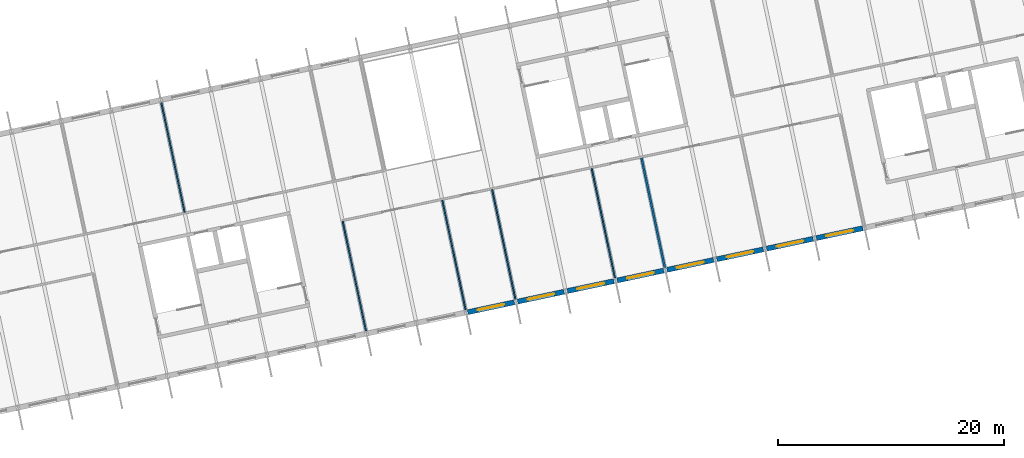
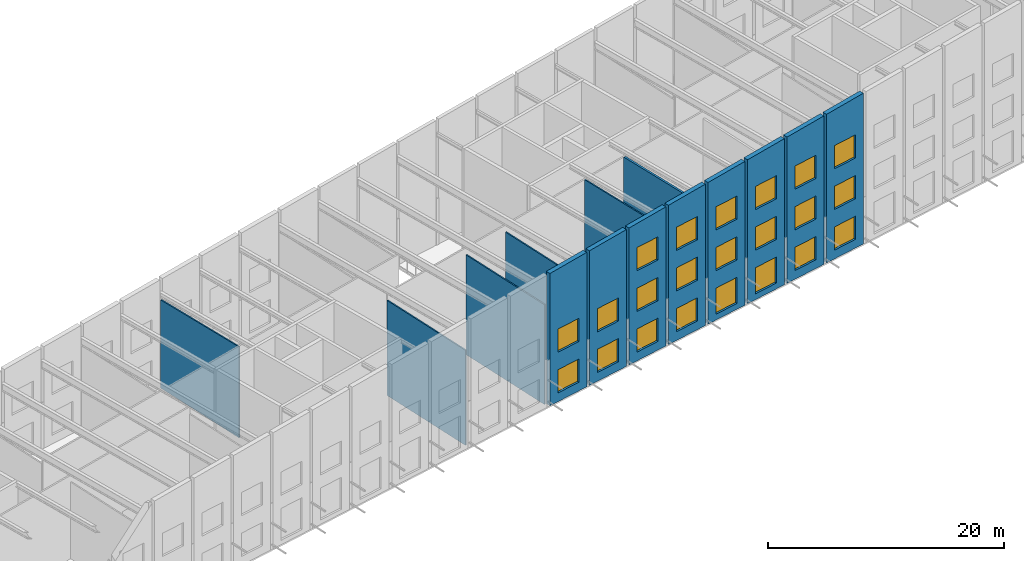
# One storey, part 45 of 69: 22 windows, 14 walls, 22 openings.
"""IFC4 building model written with IfcOpenShell, lengths in metres."""

import ifcopenshell
import ifcopenshell.guid

model = None  # the IFC model being written
_history = None  # IfcOwnerHistory: only IFC2X3 demands one
_inside = {}  # id of a spatial element -> (the spatial element, [elements in it])
_under = {}  # id of a project, library or spatial element -> (it, [spatial elements below it])
_declared = {}  # id of a project -> (the project, [libraries it declares])
_typed = {}  # id of a type object -> (the type object, [elements of that type])
_made_of = {}  # id of a material, layer set ... -> (it, [elements and type objects made of it])


def new_model(schema):
    """Start an empty IFC model of exactly this schema.

    Asked for "IFC4X3", IfcOpenShell would pick the latest addendum, in which some entities
    have other attributes; the version numbers below select the first issue.
    IFC2X3 requires an IfcOwnerHistory on every rooted entity: one is made here for all.
    """
    global model, _history
    if schema == "IFC4X3":
        model = ifcopenshell.file(schema_version=(4, 3, 0, 0))
    else:
        model = ifcopenshell.file(schema=schema)
    _inside.clear()
    _under.clear()
    _declared.clear()
    _typed.clear()
    _made_of.clear()
    _history = None
    if model.schema == "IFC2X3":
        org = make("IfcOrganization", Name="unknown")
        user = make(
            "IfcPersonAndOrganization",
            ThePerson=make("IfcPerson", FamilyName="unknown"),
            TheOrganization=org,
        )
        app = make(
            "IfcApplication",
            ApplicationDeveloper=org,
            Version="unknown",
            ApplicationFullName="unknown",
            ApplicationIdentifier="unknown",
        )
        _history = make(
            "IfcOwnerHistory",
            OwningUser=user,
            OwningApplication=app,
            ChangeAction="ADDED",
            CreationDate=0,
        )
    return model


def make(cls, **values):
    """One entity of the class cls with the attributes given. An attribute that is None is left unset."""
    return model.create_entity(
        cls, **{name: value for name, value in values.items() if value is not None}
    )


def rooted(cls, **values):
    """An entity with a GlobalId (a new one), such as an element, a storey or a relation."""
    return make(cls, GlobalId=ifcopenshell.guid.new(), OwnerHistory=_history, **values)


def si_unit(unit_type, name, prefix=None):
    """IfcSIUnit, for example si_unit("LENGTHUNIT", "METRE", prefix="MILLI")."""
    return make("IfcSIUnit", UnitType=unit_type, Prefix=prefix, Name=name)


def assignment(units):
    """IfcUnitAssignment: the units of a project."""
    return None if units is None else make("IfcUnitAssignment", Units=units)


def point(xyz):
    """IfcCartesianPoint."""
    return None if xyz is None else make("IfcCartesianPoint", Coordinates=xyz)


def direction(xyz):
    """IfcDirection."""
    return None if xyz is None else make("IfcDirection", DirectionRatios=xyz)


def frame(location, z_axis=None, x_axis=None):
    """IfcAxis2Placement3D, a coordinate frame: its origin and axes. An axis left out is left unset."""
    return make(
        "IfcAxis2Placement3D",
        Location=point(location),
        Axis=direction(z_axis),
        RefDirection=direction(x_axis),
    )


def frame_2d(location, x_axis=None):
    """IfcAxis2Placement2D, a coordinate frame in the plane: its origin and x axis."""
    return make(
        "IfcAxis2Placement2D", Location=point(location), RefDirection=direction(x_axis)
    )


def origin():
    """The frame at (0, 0, 0) with its axes left unset."""
    return frame((0.0, 0.0, 0.0))


def place(relative_to, where):
    """IfcLocalPlacement: puts the frame where relative to a parent placement (None: the world)."""
    return make(
        "IfcLocalPlacement", PlacementRelTo=relative_to, RelativePlacement=where
    )


def context(
    kind, dimensions, precision=None, world=None, true_north=None, identifier=None
):
    """IfcGeometricRepresentationContext, for example the 3D "Model" context."""
    return make(
        "IfcGeometricRepresentationContext",
        ContextIdentifier=identifier,
        ContextType=kind,
        CoordinateSpaceDimension=dimensions,
        Precision=precision,
        WorldCoordinateSystem=world,
        TrueNorth=true_north,
    )


def subcontext(parent, identifier, kind, view, scale=None):
    """IfcGeometricRepresentationSubContext, for example "Body" below "Model"."""
    return make(
        "IfcGeometricRepresentationSubContext",
        ContextIdentifier=identifier,
        ContextType=kind,
        ParentContext=parent,
        TargetScale=scale,
        TargetView=view,
    )


def project(units=None, contexts=None):
    """IfcProject with its units and contexts."""
    return rooted(
        "IfcProject",
        Name="project",
        RepresentationContexts=contexts,
        UnitsInContext=assignment(units),
    )


def spatial(cls, under=None, at=None, **own):
    """A site, building, storey or space (cls), placed at a placement, below another one or the project."""
    s = rooted(cls, ObjectPlacement=at, **own)
    if under is not None:
        _under.setdefault(under.id(), (under, []))[1].append(s)
    return s


def polyline(points):
    """IfcPolyline through the points."""
    return make("IfcPolyline", Points=[point(p) for p in points])


def profile(cls, at=None, kind="AREA", **sizes):
    """A parametric profile (cls). Its sizes go by their IFC names, for example OverallWidth=200.0."""
    return make(cls, ProfileType=kind, Position=at, **sizes)


def rectangle(**sizes):
    """IfcRectangleProfileDef."""
    return profile("IfcRectangleProfileDef", **sizes)


def outline(outer, holes=None, kind="AREA"):
    """IfcArbitraryClosedProfileDef: a profile drawn as a closed curve; with holes, ...WithVoids."""
    if holes is None:
        return make("IfcArbitraryClosedProfileDef", ProfileType=kind, OuterCurve=outer)
    return make(
        "IfcArbitraryProfileDefWithVoids",
        ProfileType=kind,
        OuterCurve=outer,
        InnerCurves=holes,
    )


def extrude(swept, where, along, depth):
    """IfcExtrudedAreaSolid: the profile swept, set in the frame where, extruded along a direction by depth."""
    return make(
        "IfcExtrudedAreaSolid",
        SweptArea=swept,
        Position=where,
        ExtrudedDirection=direction(along),
        Depth=depth,
    )


def shape(context_of_items, identifier, shape_type, items):
    """IfcShapeRepresentation: the items that make up one representation, for example the "Body"."""
    return make(
        "IfcShapeRepresentation",
        ContextOfItems=context_of_items,
        RepresentationIdentifier=identifier,
        RepresentationType=shape_type,
        Items=items,
    )


def material(Name=None, Category=None):
    """IfcMaterial."""
    return make("IfcMaterial", Name=Name, Category=Category)


def layer(
    of_material, thickness, ventilated=None, Name=None, Category=None, Priority=None
):
    """IfcMaterialLayer: one layer of a wall or slab, of a material (None: an air gap)."""
    return make(
        "IfcMaterialLayer",
        Material=of_material,
        LayerThickness=thickness,
        IsVentilated=ventilated,
        Name=Name,
        Category=Category,
        Priority=Priority,
    )


def layer_set(layers, Name=None):
    """IfcMaterialLayerSet."""
    return make("IfcMaterialLayerSet", MaterialLayers=layers, LayerSetName=Name)


def made_of(thing, what):
    """Note that an element or type object is made of a material, layer set ...; save() writes the relation."""
    if what is not None:
        _made_of.setdefault(what.id(), (what, []))[1].append(thing)
    return thing


def type_object(cls, material=None, **own):
    """A type object (cls), such as IfcWallType, which elements share."""
    return made_of(rooted(cls, **own), material)


def element(
    cls,
    number,
    at=None,
    inside=None,
    cuts=None,
    type_object=None,
    material=None,
    context=None,
    identifier="Body",
    shape_type=None,
    held_by="IfcProductDefinitionShape",
    body=None,
    shapes=None,
    **own,
):
    """One element of the class cls, such as IfcWall. Its Tag is "e" and its number.

    at: its placement. inside: the storey or other place that contains it. cuts: it is an
    opening in that element (IfcRelVoidsElement). A single representation is given by context,
    identifier, shape_type and body (its items); several are given by shapes. held_by: the class
    of the entity that holds the representations. save() writes the other relations.
    """
    e = rooted(cls, Tag="e%d" % number, ObjectPlacement=at, **own)
    if body is not None:
        shapes = [shape(context, identifier, shape_type, body)]
    if shapes is not None:
        e.Representation = make(held_by, Representations=shapes)
    if inside is not None:
        _inside.setdefault(inside.id(), (inside, []))[1].append(e)
    if cuts is not None:
        rooted(
            "IfcRelVoidsElement", RelatingBuildingElement=cuts, RelatedOpeningElement=e
        )
    if type_object is not None:
        _typed.setdefault(type_object.id(), (type_object, []))[1].append(e)
    return made_of(e, material)


def fill(opening, filler):
    """IfcRelFillsElement: the door or window that sits in an opening."""
    return rooted(
        "IfcRelFillsElement",
        RelatingOpeningElement=opening,
        RelatedBuildingElement=filler,
    )


def aggregate(whole, parts):
    """IfcRelAggregates: a whole, such as a stair, and the parts it consists of."""
    return rooted("IfcRelAggregates", RelatingObject=whole, RelatedObjects=parts)


def save(model, path):
    """Write the relations noted so far, then the file.

    IfcRelAggregates (storeys below a building ...), IfcRelContainedInSpatialStructure (elements
    in a storey), IfcRelDefinesByType, IfcRelAssociatesMaterial and IfcRelDeclares: one each for
    every whole, place, type object, material and project.
    """
    for whole, parts in _under.values():
        aggregate(whole, parts)
    for where, things in _inside.values():
        rooted(
            "IfcRelContainedInSpatialStructure",
            RelatedElements=things,
            RelatingStructure=where,
        )
    for kind, things in _typed.values():
        rooted("IfcRelDefinesByType", RelatedObjects=things, RelatingType=kind)
    for what, things in _made_of.values():
        rooted("IfcRelAssociatesMaterial", RelatedObjects=things, RelatingMaterial=what)
    for by, libraries in _declared.values():
        rooted("IfcRelDeclares", RelatingContext=by, RelatedDefinitions=libraries)
    model.write(path)


model = new_model("IFC4")

# Units and contexts
model_context = context("Model", 3, precision=1e-05, world=origin(), true_north=direction((0.0, 1.0)))
body_context = subcontext(model_context, "Body", "Model", "MODEL_VIEW")
ifc_project = project(units=[si_unit("LENGTHUNIT", "METRE"), si_unit("AREAUNIT", "SQUARE_METRE"), si_unit("VOLUMEUNIT", "CUBIC_METRE"), si_unit("PLANEANGLEUNIT", "RADIAN"), si_unit("MASSUNIT", "GRAM", prefix="KILO")], contexts=[model_context])

# Site, building, storey
site_placement = place(None, origin())
site = spatial("IfcSite", under=ifc_project, at=site_placement, CompositionType="ELEMENT")
building_placement = place(site_placement, origin())
building = spatial("IfcBuilding", under=site, at=building_placement, Name="Okhra Congress Centre", CompositionType="ELEMENT")
storey_placement = place(building_placement, frame((0.0, 0.0, 16.800048828125)))
storey = spatial("IfcBuildingStorey", under=building, at=storey_placement, Name="L03", CompositionType="ELEMENT", Elevation=16.800048828125)

# Wall
ifc_material_1 = material(Name="Double gypsum board on steel studs with mineral wool", Category="steel")
ifc_layer_1 = layer(ifc_material_1, 0.199951171875)
ifc_layer_set_1 = layer_set([ifc_layer_1], Name="Acoustic partition 200")
wall_type_1 = type_object("IfcWallType", Name="Acoustic partition 200", PredefinedType="PARTITIONING", material=ifc_layer_set_1)
wall_1_placement = place(storey_placement, frame((179.80908203125, 52.29052734375, 0.0), z_axis=(0.0, 0.0, 1.0), x_axis=(-0.207904355568, 0.978149159861, 0.0)))
element("IfcWall", 1, at=wall_1_placement, inside=storey, type_object=wall_type_1, Name="Partition S L03", PredefinedType="PARTITIONING", context=body_context, shape_type="SweptSolid", body=[
    extrude(outline(polyline([(0.0, 0.0), (9.925048828125, 0.0), (9.925048828125, 11.98876953125), (0.0, 12.190185546875), (0.0, 0.0)])), frame((0.0, 0.10009765625, 0.0), z_axis=(0.0, -1.0, 0.0), x_axis=(1.0, 0.0, 0.0)), (0.0, 0.0, 1.0), 0.199951171875),
])

# Wall, openings, windows
ifc_material_2 = material(Name="Insulated metal panel on steel stud (mineral wool, vapour barrier)", Category="steel")
ifc_layer_2 = layer(ifc_material_2, 0.449951171875)
ifc_layer_set_2 = layer_set([ifc_layer_2], Name="Insulated wall 450")
wall_type_2 = type_object("IfcWallType", Name="Insulated wall 450", PredefinedType="SOLIDWALL", material=ifc_layer_set_2)
wall_2_placement = place(storey_placement, frame((162.39599609375, 48.359375, 0.0), z_axis=(0.0, 0.0, 1.0), x_axis=(0.978155748334, 0.207873355681, 0.0)))
wall_2 = element("IfcWall", 2, at=wall_2_placement, inside=storey, type_object=wall_type_2, Name="External wall S24 L03", PredefinedType="SOLIDWALL", context=body_context, shape_type="SweptSolid", body=[
    extrude(outline(polyline([(0.0, 0.0), (4.199951171875, 0.0), (4.199951171875, 13.890380859375), (0.0, 13.665771484375), (0.0, 0.0)])), frame((0.0, 0.22509765625, 0.0), z_axis=(0.0, -1.0, 0.0), x_axis=(1.0, 0.0, 0.0)), (0.0, 0.0, 1.0), 0.449951171875),
])
opening_1_placement = place(wall_2_placement, frame((0.89990234375, 0.0, 0.89990234375)))
opening_1 = element("IfcOpeningElement", 3, at=opening_1_placement, cuts=wall_2, Name="Opening WN22", PredefinedType="OPENING", context=body_context, shape_type="SweptSolid", body=[
    extrude(rectangle(XDim=2.39990234375, YDim=2.39990234375, at=frame_2d((1.199951171875, 1.199951171875))), frame((0.0, 0.23486328125, 0.0), z_axis=(0.0, -1.0, 0.0), x_axis=(1.0, 0.0, 0.0)), (0.0, 0.0, 1.0), 0.469970703125),
])
opening_2_placement = place(wall_2_placement, frame((0.89990234375, 0.0, 5.10009765625)))
opening_2 = element("IfcOpeningElement", 4, at=opening_2_placement, cuts=wall_2, Name="Opening WN22", PredefinedType="OPENING", context=body_context, shape_type="SweptSolid", body=[
    extrude(rectangle(XDim=2.39990234375, YDim=2.39990234375, at=frame_2d((1.199951171875, 1.199951171875))), frame((0.0, 0.23486328125, 0.0), z_axis=(0.0, -1.0, 0.0), x_axis=(1.0, 0.0, 0.0)), (0.0, 0.0, 1.0), 0.469970703125),
])
ifc_material_3 = material(Name="Thermally broken aluminium frame, triple glazing", Category="aluminium")
window_type_1 = type_object("IfcWindowType", Name="Fixed window 2400x2400", PartitioningType="SINGLE_PANEL", PredefinedType="WINDOW", material=ifc_material_3)
window_1_placement = place(opening_1_placement, origin())
window_1 = element("IfcWindow", 5, at=window_1_placement, inside=storey, type_object=window_type_1, Name="BX.WIN.L03.39", OverallHeight=2.39990234375, OverallWidth=2.39990234375, PartitioningType="SINGLE_PANEL", PredefinedType="WINDOW", context=body_context, shape_type="SweptSolid", body=[
    extrude(rectangle(XDim=2.39990234375, YDim=2.39990234375, at=frame_2d((1.199951171875, 1.199951171875))), frame((0.0, 0.030029296875, 0.0), z_axis=(0.0, -1.0, 0.0), x_axis=(1.0, 0.0, 0.0)), (0.0, 0.0, 1.0), 0.06005859375),
])
fill(opening_1, window_1)
window_2_placement = place(opening_2_placement, origin())
window_2 = element("IfcWindow", 6, at=window_2_placement, inside=storey, type_object=window_type_1, Name="BX.WIN.L03.40", OverallHeight=2.39990234375, OverallWidth=2.39990234375, PartitioningType="SINGLE_PANEL", PredefinedType="WINDOW", context=body_context, shape_type="SweptSolid", body=[
    extrude(rectangle(XDim=2.39990234375, YDim=2.39990234375, at=frame_2d((1.199951171875, 1.199951171875))), frame((0.0, 0.030029296875, 0.0), z_axis=(0.0, -1.0, 0.0), x_axis=(1.0, 0.0, 0.0)), (0.0, 0.0, 1.0), 0.06005859375),
])
fill(opening_2, window_2)

wall_3_placement = place(storey_placement, frame((166.797607421875, 49.294921875, 0.0), z_axis=(0.0, 0.0, 1.0), x_axis=(0.978143927149, 0.207928972925, 0.0)))
wall_3 = element("IfcWall", 7, at=wall_3_placement, inside=storey, type_object=wall_type_2, Name="External wall S25 L03", PredefinedType="SOLIDWALL", context=body_context, shape_type="SweptSolid", body=[
    extrude(outline(polyline([(0.0, 0.0), (4.199951171875, 0.0), (4.199951171875, 14.131103515625), (0.0, 13.906494140625), (0.0, 0.0)])), frame((0.0, 0.22509765625, 0.0), z_axis=(0.0, -1.0, 0.0), x_axis=(1.0, 0.0, 0.0)), (0.0, 0.0, 1.0), 0.449951171875),
])
opening_3_placement = place(wall_3_placement, frame((0.89990234375, 0.0, 0.89990234375)))
opening_3 = element("IfcOpeningElement", 8, at=opening_3_placement, cuts=wall_3, Name="Opening WN22", PredefinedType="OPENING", context=body_context, shape_type="SweptSolid", body=[
    extrude(rectangle(XDim=2.39990234375, YDim=2.39990234375, at=frame_2d((1.199951171875, 1.199951171875))), frame((0.0, 0.23486328125, 0.0), z_axis=(0.0, -1.0, 0.0), x_axis=(1.0, 0.0, 0.0)), (0.0, 0.0, 1.0), 0.469970703125),
])
opening_4_placement = place(wall_3_placement, frame((0.89990234375, 0.0, 5.10009765625)))
opening_4 = element("IfcOpeningElement", 9, at=opening_4_placement, cuts=wall_3, Name="Opening WN22", PredefinedType="OPENING", context=body_context, shape_type="SweptSolid", body=[
    extrude(rectangle(XDim=2.39990234375, YDim=2.39990234375, at=frame_2d((1.199951171875, 1.199951171875))), frame((0.0, 0.23486328125, 0.0), z_axis=(0.0, -1.0, 0.0), x_axis=(1.0, 0.0, 0.0)), (0.0, 0.0, 1.0), 0.469970703125),
])
window_3_placement = place(opening_3_placement, origin())
window_3 = element("IfcWindow", 10, at=window_3_placement, inside=storey, type_object=window_type_1, Name="BX.WIN.L03.41", OverallHeight=2.39990234375, OverallWidth=2.39990234375, PartitioningType="SINGLE_PANEL", PredefinedType="WINDOW", context=body_context, shape_type="SweptSolid", body=[
    extrude(rectangle(XDim=2.39990234375, YDim=2.39990234375, at=frame_2d((1.199951171875, 1.199951171875))), frame((0.0, 0.030029296875, 0.0), z_axis=(0.0, -1.0, 0.0), x_axis=(1.0, 0.0, 0.0)), (0.0, 0.0, 1.0), 0.06005859375),
])
fill(opening_3, window_3)
window_4_placement = place(opening_4_placement, origin())
window_4 = element("IfcWindow", 11, at=window_4_placement, inside=storey, type_object=window_type_1, Name="BX.WIN.L03.42", OverallHeight=2.39990234375, OverallWidth=2.39990234375, PartitioningType="SINGLE_PANEL", PredefinedType="WINDOW", context=body_context, shape_type="SweptSolid", body=[
    extrude(rectangle(XDim=2.39990234375, YDim=2.39990234375, at=frame_2d((1.199951171875, 1.199951171875))), frame((0.0, 0.030029296875, 0.0), z_axis=(0.0, -1.0, 0.0), x_axis=(1.0, 0.0, 0.0)), (0.0, 0.0, 1.0), 0.06005859375),
])
fill(opening_4, window_4)

wall_4_placement = place(storey_placement, frame((171.19921875, 50.23046875, 0.0), z_axis=(0.0, 0.0, 1.0), x_axis=(0.978146440129, 0.207917150959, 0.0)))
wall_4 = element("IfcWall", 12, at=wall_4_placement, inside=storey, type_object=wall_type_2, Name="External wall S26 L03", PredefinedType="SOLIDWALL", context=body_context, shape_type="SweptSolid", body=[
    extrude(outline(polyline([(0.0, 0.0), (4.2001953125, 0.0), (4.199951171875, 14.3720703125), (0.0, 14.147216796875), (0.0, 0.0)])), frame((0.0, 0.22509765625, 0.0), z_axis=(0.0, -1.0, 0.0), x_axis=(1.0, 0.0, 0.0)), (0.0, 0.0, 1.0), 0.449951171875),
])
opening_5_placement = place(wall_4_placement, frame((0.89990234375, 0.0, 0.89990234375)))
opening_5 = element("IfcOpeningElement", 13, at=opening_5_placement, cuts=wall_4, Name="Opening WN22", PredefinedType="OPENING", context=body_context, shape_type="SweptSolid", body=[
    extrude(rectangle(XDim=2.39990234375, YDim=2.39990234375, at=frame_2d((1.199951171875, 1.199951171875))), frame((0.0, 0.23486328125, 0.0), z_axis=(0.0, -1.0, 0.0), x_axis=(1.0, 0.0, 0.0)), (0.0, 0.0, 1.0), 0.469970703125),
])
opening_6_placement = place(wall_4_placement, frame((0.89990234375, 0.0, 5.10009765625)))
opening_6 = element("IfcOpeningElement", 14, at=opening_6_placement, cuts=wall_4, Name="Opening WN22", PredefinedType="OPENING", context=body_context, shape_type="SweptSolid", body=[
    extrude(rectangle(XDim=2.39990234375, YDim=2.39990234375, at=frame_2d((1.199951171875, 1.199951171875))), frame((0.0, 0.23486328125, 0.0), z_axis=(0.0, -1.0, 0.0), x_axis=(1.0, 0.0, 0.0)), (0.0, 0.0, 1.0), 0.469970703125),
])
opening_7_placement = place(wall_4_placement, frame((0.89990234375, 0.0, 9.300048828125)))
opening_7 = element("IfcOpeningElement", 15, at=opening_7_placement, cuts=wall_4, Name="Opening WN22", PredefinedType="OPENING", context=body_context, shape_type="SweptSolid", body=[
    extrude(rectangle(XDim=2.39990234375, YDim=2.39990234375, at=frame_2d((1.199951171875, 1.199951171875))), frame((0.0, 0.23486328125, 0.0), z_axis=(0.0, -1.0, 0.0), x_axis=(1.0, 0.0, 0.0)), (0.0, 0.0, 1.0), 0.469970703125),
])
window_5_placement = place(opening_5_placement, origin())
window_5 = element("IfcWindow", 16, at=window_5_placement, inside=storey, type_object=window_type_1, Name="BX.WIN.L03.43", OverallHeight=2.39990234375, OverallWidth=2.39990234375, PartitioningType="SINGLE_PANEL", PredefinedType="WINDOW", context=body_context, shape_type="SweptSolid", body=[
    extrude(rectangle(XDim=2.39990234375, YDim=2.39990234375, at=frame_2d((1.199951171875, 1.199951171875))), frame((0.0, 0.030029296875, 0.0), z_axis=(0.0, -1.0, 0.0), x_axis=(1.0, 0.0, 0.0)), (0.0, 0.0, 1.0), 0.06005859375),
])
fill(opening_5, window_5)
window_6_placement = place(opening_6_placement, origin())
window_6 = element("IfcWindow", 17, at=window_6_placement, inside=storey, type_object=window_type_1, Name="BX.WIN.L03.44", OverallHeight=2.39990234375, OverallWidth=2.39990234375, PartitioningType="SINGLE_PANEL", PredefinedType="WINDOW", context=body_context, shape_type="SweptSolid", body=[
    extrude(rectangle(XDim=2.39990234375, YDim=2.39990234375, at=frame_2d((1.199951171875, 1.199951171875))), frame((0.0, 0.030029296875, 0.0), z_axis=(0.0, -1.0, 0.0), x_axis=(1.0, 0.0, 0.0)), (0.0, 0.0, 1.0), 0.06005859375),
])
fill(opening_6, window_6)
window_7_placement = place(opening_7_placement, origin())
window_7 = element("IfcWindow", 18, at=window_7_placement, inside=storey, type_object=window_type_1, Name="BX.WIN.L03.45", OverallHeight=2.39990234375, OverallWidth=2.39990234375, PartitioningType="SINGLE_PANEL", PredefinedType="WINDOW", context=body_context, shape_type="SweptSolid", body=[
    extrude(rectangle(XDim=2.39990234375, YDim=2.39990234375, at=frame_2d((1.199951171875, 1.199951171875))), frame((0.0, 0.030029296875, 0.0), z_axis=(0.0, -1.0, 0.0), x_axis=(1.0, 0.0, 0.0)), (0.0, 0.0, 1.0), 0.06005859375),
])
fill(opening_7, window_7)

wall_5_placement = place(storey_placement, frame((175.60107421875, 51.166015625, 0.0), z_axis=(0.0, 0.0, 1.0), x_axis=(0.978143927149, 0.207928972925, 0.0)))
wall_5 = element("IfcWall", 19, at=wall_5_placement, inside=storey, type_object=wall_type_2, Name="External wall S27 L03", PredefinedType="SOLIDWALL", context=body_context, shape_type="SweptSolid", body=[
    extrude(outline(polyline([(0.0, 0.0), (4.199951171875, 0.0), (4.199951171875, 14.61279296875), (0.0, 14.387939453125), (0.0, 0.0)])), frame((0.0, 0.22509765625, 0.0), z_axis=(0.0, -1.0, 0.0), x_axis=(1.0, 0.0, 0.0)), (0.0, 0.0, 1.0), 0.449951171875),
])
opening_8_placement = place(wall_5_placement, frame((0.89990234375, 0.0, 0.89990234375)))
opening_8 = element("IfcOpeningElement", 20, at=opening_8_placement, cuts=wall_5, Name="Opening WN22", PredefinedType="OPENING", context=body_context, shape_type="SweptSolid", body=[
    extrude(rectangle(XDim=2.39990234375, YDim=2.39990234375, at=frame_2d((1.199951171875, 1.199951171875))), frame((0.0, 0.23486328125, 0.0), z_axis=(0.0, -1.0, 0.0), x_axis=(1.0, 0.0, 0.0)), (0.0, 0.0, 1.0), 0.469970703125),
])
opening_9_placement = place(wall_5_placement, frame((0.89990234375, 0.0, 5.10009765625)))
opening_9 = element("IfcOpeningElement", 21, at=opening_9_placement, cuts=wall_5, Name="Opening WN22", PredefinedType="OPENING", context=body_context, shape_type="SweptSolid", body=[
    extrude(rectangle(XDim=2.39990234375, YDim=2.39990234375, at=frame_2d((1.199951171875, 1.199951171875))), frame((0.0, 0.23486328125, 0.0), z_axis=(0.0, -1.0, 0.0), x_axis=(1.0, 0.0, 0.0)), (0.0, 0.0, 1.0), 0.469970703125),
])
opening_10_placement = place(wall_5_placement, frame((0.89990234375, 0.0, 9.300048828125)))
opening_10 = element("IfcOpeningElement", 22, at=opening_10_placement, cuts=wall_5, Name="Opening WN22", PredefinedType="OPENING", context=body_context, shape_type="SweptSolid", body=[
    extrude(rectangle(XDim=2.39990234375, YDim=2.39990234375, at=frame_2d((1.199951171875, 1.199951171875))), frame((0.0, 0.23486328125, 0.0), z_axis=(0.0, -1.0, 0.0), x_axis=(1.0, 0.0, 0.0)), (0.0, 0.0, 1.0), 0.469970703125),
])
window_8_placement = place(opening_8_placement, origin())
window_8 = element("IfcWindow", 23, at=window_8_placement, inside=storey, type_object=window_type_1, Name="BX.WIN.L03.46", OverallHeight=2.39990234375, OverallWidth=2.39990234375, PartitioningType="SINGLE_PANEL", PredefinedType="WINDOW", context=body_context, shape_type="SweptSolid", body=[
    extrude(rectangle(XDim=2.39990234375, YDim=2.39990234375, at=frame_2d((1.199951171875, 1.199951171875))), frame((0.0, 0.030029296875, 0.0), z_axis=(0.0, -1.0, 0.0), x_axis=(1.0, 0.0, 0.0)), (0.0, 0.0, 1.0), 0.06005859375),
])
fill(opening_8, window_8)
window_9_placement = place(opening_9_placement, origin())
window_9 = element("IfcWindow", 24, at=window_9_placement, inside=storey, type_object=window_type_1, Name="BX.WIN.L03.47", OverallHeight=2.39990234375, OverallWidth=2.39990234375, PartitioningType="SINGLE_PANEL", PredefinedType="WINDOW", context=body_context, shape_type="SweptSolid", body=[
    extrude(rectangle(XDim=2.39990234375, YDim=2.39990234375, at=frame_2d((1.199951171875, 1.199951171875))), frame((0.0, 0.030029296875, 0.0), z_axis=(0.0, -1.0, 0.0), x_axis=(1.0, 0.0, 0.0)), (0.0, 0.0, 1.0), 0.06005859375),
])
fill(opening_9, window_9)
window_10_placement = place(opening_10_placement, origin())
window_10 = element("IfcWindow", 25, at=window_10_placement, inside=storey, type_object=window_type_1, Name="BX.WIN.L03.48", OverallHeight=2.39990234375, OverallWidth=2.39990234375, PartitioningType="SINGLE_PANEL", PredefinedType="WINDOW", context=body_context, shape_type="SweptSolid", body=[
    extrude(rectangle(XDim=2.39990234375, YDim=2.39990234375, at=frame_2d((1.199951171875, 1.199951171875))), frame((0.0, 0.030029296875, 0.0), z_axis=(0.0, -1.0, 0.0), x_axis=(1.0, 0.0, 0.0)), (0.0, 0.0, 1.0), 0.06005859375),
])
fill(opening_10, window_10)

wall_6_placement = place(storey_placement, frame((180.002685546875, 52.101806640625, 0.0), z_axis=(0.0, 0.0, 1.0), x_axis=(0.978155748334, 0.207873355681, 0.0)))
wall_6 = element("IfcWall", 26, at=wall_6_placement, inside=storey, type_object=wall_type_2, Name="External wall S28 L03", PredefinedType="SOLIDWALL", context=body_context, shape_type="SweptSolid", body=[
    extrude(outline(polyline([(0.0, 0.0), (4.199951171875, 0.0), (4.199951171875, 14.853515625), (0.0, 14.62890625), (0.0, 0.0)])), frame((0.0, 0.22509765625, 0.0), z_axis=(0.0, -1.0, 0.0), x_axis=(1.0, 0.0, 0.0)), (0.0, 0.0, 1.0), 0.449951171875),
])
opening_11_placement = place(wall_6_placement, frame((0.89990234375, 0.0, 0.60009765625)))
opening_11 = element("IfcOpeningElement", 27, at=opening_11_placement, cuts=wall_6, Name="Opening WN23", PredefinedType="OPENING", context=body_context, shape_type="SweptSolid", body=[
    extrude(rectangle(XDim=2.39990234375, YDim=2.699951171875, at=frame_2d((1.199951171875, 1.35009765625))), frame((0.0, 0.23486328125, 0.0), z_axis=(0.0, -1.0, 0.0), x_axis=(1.0, 0.0, 0.0)), (0.0, 0.0, 1.0), 0.469970703125),
])
opening_12_placement = place(wall_6_placement, frame((0.89990234375, 0.0, 5.10009765625)))
opening_12 = element("IfcOpeningElement", 28, at=opening_12_placement, cuts=wall_6, Name="Opening WN22", PredefinedType="OPENING", context=body_context, shape_type="SweptSolid", body=[
    extrude(rectangle(XDim=2.39990234375, YDim=2.39990234375, at=frame_2d((1.199951171875, 1.199951171875))), frame((0.0, 0.23486328125, 0.0), z_axis=(0.0, -1.0, 0.0), x_axis=(1.0, 0.0, 0.0)), (0.0, 0.0, 1.0), 0.469970703125),
])
opening_13_placement = place(wall_6_placement, frame((0.89990234375, 0.0, 9.300048828125)))
opening_13 = element("IfcOpeningElement", 29, at=opening_13_placement, cuts=wall_6, Name="Opening WN22", PredefinedType="OPENING", context=body_context, shape_type="SweptSolid", body=[
    extrude(rectangle(XDim=2.39990234375, YDim=2.39990234375, at=frame_2d((1.199951171875, 1.199951171875))), frame((0.0, 0.23486328125, 0.0), z_axis=(0.0, -1.0, 0.0), x_axis=(1.0, 0.0, 0.0)), (0.0, 0.0, 1.0), 0.469970703125),
])
window_type_2 = type_object("IfcWindowType", Name="Casement window 2400x2700", PartitioningType="SINGLE_PANEL", PredefinedType="WINDOW", material=ifc_material_3)
window_11_placement = place(opening_11_placement, origin())
window_11 = element("IfcWindow", 30, at=window_11_placement, inside=storey, type_object=window_type_2, Name="BX.WIN.L03.49", OverallHeight=2.699951171875, OverallWidth=2.39990234375, PartitioningType="SINGLE_PANEL", PredefinedType="WINDOW", context=body_context, shape_type="SweptSolid", body=[
    extrude(rectangle(XDim=2.39990234375, YDim=2.699951171875, at=frame_2d((1.199951171875, 1.35009765625))), frame((0.0, 0.030029296875, 0.0), z_axis=(0.0, -1.0, 0.0), x_axis=(1.0, 0.0, 0.0)), (0.0, 0.0, 1.0), 0.06005859375),
])
fill(opening_11, window_11)
window_12_placement = place(opening_12_placement, origin())
window_12 = element("IfcWindow", 31, at=window_12_placement, inside=storey, type_object=window_type_1, Name="BX.WIN.L03.50", OverallHeight=2.39990234375, OverallWidth=2.39990234375, PartitioningType="SINGLE_PANEL", PredefinedType="WINDOW", context=body_context, shape_type="SweptSolid", body=[
    extrude(rectangle(XDim=2.39990234375, YDim=2.39990234375, at=frame_2d((1.199951171875, 1.199951171875))), frame((0.0, 0.030029296875, 0.0), z_axis=(0.0, -1.0, 0.0), x_axis=(1.0, 0.0, 0.0)), (0.0, 0.0, 1.0), 0.06005859375),
])
fill(opening_12, window_12)
window_13_placement = place(opening_13_placement, origin())
window_13 = element("IfcWindow", 32, at=window_13_placement, inside=storey, type_object=window_type_1, Name="BX.WIN.L03.51", OverallHeight=2.39990234375, OverallWidth=2.39990234375, PartitioningType="SINGLE_PANEL", PredefinedType="WINDOW", context=body_context, shape_type="SweptSolid", body=[
    extrude(rectangle(XDim=2.39990234375, YDim=2.39990234375, at=frame_2d((1.199951171875, 1.199951171875))), frame((0.0, 0.030029296875, 0.0), z_axis=(0.0, -1.0, 0.0), x_axis=(1.0, 0.0, 0.0)), (0.0, 0.0, 1.0), 0.06005859375),
])
fill(opening_13, window_13)

wall_7_placement = place(storey_placement, frame((184.404296875, 53.037353515625, 0.0), z_axis=(0.0, 0.0, 1.0), x_axis=(0.978143927149, 0.207928972925, 0.0)))
wall_7 = element("IfcWall", 33, at=wall_7_placement, inside=storey, type_object=wall_type_2, Name="External wall S29 L03", PredefinedType="SOLIDWALL", context=body_context, shape_type="SweptSolid", body=[
    extrude(outline(polyline([(0.0, 0.0), (4.199951171875, 0.0), (4.199951171875, 15.09423828125), (0.0, 14.86962890625), (0.0, 0.0)])), frame((0.0, 0.22509765625, 0.0), z_axis=(0.0, -1.0, 0.0), x_axis=(1.0, 0.0, 0.0)), (0.0, 0.0, 1.0), 0.449951171875),
])
opening_14_placement = place(wall_7_placement, frame((0.89990234375, 0.0, 0.60009765625)))
opening_14 = element("IfcOpeningElement", 34, at=opening_14_placement, cuts=wall_7, Name="Opening WN23", PredefinedType="OPENING", context=body_context, shape_type="SweptSolid", body=[
    extrude(rectangle(XDim=2.39990234375, YDim=2.699951171875, at=frame_2d((1.199951171875, 1.35009765625))), frame((0.0, 0.23486328125, 0.0), z_axis=(0.0, -1.0, 0.0), x_axis=(1.0, 0.0, 0.0)), (0.0, 0.0, 1.0), 0.469970703125),
])
opening_15_placement = place(wall_7_placement, frame((0.89990234375, 0.0, 5.10009765625)))
opening_15 = element("IfcOpeningElement", 35, at=opening_15_placement, cuts=wall_7, Name="Opening WN22", PredefinedType="OPENING", context=body_context, shape_type="SweptSolid", body=[
    extrude(rectangle(XDim=2.39990234375, YDim=2.39990234375, at=frame_2d((1.199951171875, 1.199951171875))), frame((0.0, 0.23486328125, 0.0), z_axis=(0.0, -1.0, 0.0), x_axis=(1.0, 0.0, 0.0)), (0.0, 0.0, 1.0), 0.469970703125),
])
opening_16_placement = place(wall_7_placement, frame((0.89990234375, 0.0, 9.300048828125)))
opening_16 = element("IfcOpeningElement", 36, at=opening_16_placement, cuts=wall_7, Name="Opening WN22", PredefinedType="OPENING", context=body_context, shape_type="SweptSolid", body=[
    extrude(rectangle(XDim=2.39990234375, YDim=2.39990234375, at=frame_2d((1.199951171875, 1.199951171875))), frame((0.0, 0.23486328125, 0.0), z_axis=(0.0, -1.0, 0.0), x_axis=(1.0, 0.0, 0.0)), (0.0, 0.0, 1.0), 0.469970703125),
])
window_14_placement = place(opening_14_placement, origin())
window_14 = element("IfcWindow", 37, at=window_14_placement, inside=storey, type_object=window_type_2, Name="BX.WIN.L03.52", OverallHeight=2.699951171875, OverallWidth=2.39990234375, PartitioningType="SINGLE_PANEL", PredefinedType="WINDOW", context=body_context, shape_type="SweptSolid", body=[
    extrude(rectangle(XDim=2.39990234375, YDim=2.699951171875, at=frame_2d((1.199951171875, 1.35009765625))), frame((0.0, 0.030029296875, 0.0), z_axis=(0.0, -1.0, 0.0), x_axis=(1.0, 0.0, 0.0)), (0.0, 0.0, 1.0), 0.06005859375),
])
fill(opening_14, window_14)
window_15_placement = place(opening_15_placement, origin())
window_15 = element("IfcWindow", 38, at=window_15_placement, inside=storey, type_object=window_type_1, Name="BX.WIN.L03.53", OverallHeight=2.39990234375, OverallWidth=2.39990234375, PartitioningType="SINGLE_PANEL", PredefinedType="WINDOW", context=body_context, shape_type="SweptSolid", body=[
    extrude(rectangle(XDim=2.39990234375, YDim=2.39990234375, at=frame_2d((1.199951171875, 1.199951171875))), frame((0.0, 0.030029296875, 0.0), z_axis=(0.0, -1.0, 0.0), x_axis=(1.0, 0.0, 0.0)), (0.0, 0.0, 1.0), 0.06005859375),
])
fill(opening_15, window_15)
window_16_placement = place(opening_16_placement, origin())
window_16 = element("IfcWindow", 39, at=window_16_placement, inside=storey, type_object=window_type_1, Name="BX.WIN.L03.54", OverallHeight=2.39990234375, OverallWidth=2.39990234375, PartitioningType="SINGLE_PANEL", PredefinedType="WINDOW", context=body_context, shape_type="SweptSolid", body=[
    extrude(rectangle(XDim=2.39990234375, YDim=2.39990234375, at=frame_2d((1.199951171875, 1.199951171875))), frame((0.0, 0.030029296875, 0.0), z_axis=(0.0, -1.0, 0.0), x_axis=(1.0, 0.0, 0.0)), (0.0, 0.0, 1.0), 0.06005859375),
])
fill(opening_16, window_16)

wall_8_placement = place(storey_placement, frame((188.805908203125, 53.972900390625, 0.0), z_axis=(0.0, 0.0, 1.0), x_axis=(0.978146440129, 0.207917150959, 0.0)))
wall_8 = element("IfcWall", 40, at=wall_8_placement, inside=storey, type_object=wall_type_2, Name="External wall S30 L03", PredefinedType="SOLIDWALL", context=body_context, shape_type="SweptSolid", body=[
    extrude(outline(polyline([(0.0, 0.0), (4.2001953125, 0.0), (4.199951171875, 15.3349609375), (0.0, 15.1103515625), (0.0, 0.0)])), frame((0.0, 0.22509765625, 0.0), z_axis=(0.0, -1.0, 0.0), x_axis=(1.0, 0.0, 0.0)), (0.0, 0.0, 1.0), 0.449951171875),
])
opening_17_placement = place(wall_8_placement, frame((0.89990234375, 0.0, 0.89990234375)))
opening_17 = element("IfcOpeningElement", 41, at=opening_17_placement, cuts=wall_8, Name="Opening WN22", PredefinedType="OPENING", context=body_context, shape_type="SweptSolid", body=[
    extrude(rectangle(XDim=2.39990234375, YDim=2.39990234375, at=frame_2d((1.199951171875, 1.199951171875))), frame((0.0, 0.23486328125, 0.0), z_axis=(0.0, -1.0, 0.0), x_axis=(1.0, 0.0, 0.0)), (0.0, 0.0, 1.0), 0.469970703125),
])
opening_18_placement = place(wall_8_placement, frame((0.89990234375, 0.0, 5.10009765625)))
opening_18 = element("IfcOpeningElement", 42, at=opening_18_placement, cuts=wall_8, Name="Opening WN22", PredefinedType="OPENING", context=body_context, shape_type="SweptSolid", body=[
    extrude(rectangle(XDim=2.39990234375, YDim=2.39990234375, at=frame_2d((1.199951171875, 1.199951171875))), frame((0.0, 0.23486328125, 0.0), z_axis=(0.0, -1.0, 0.0), x_axis=(1.0, 0.0, 0.0)), (0.0, 0.0, 1.0), 0.469970703125),
])
opening_19_placement = place(wall_8_placement, frame((0.89990234375, 0.0, 9.300048828125)))
opening_19 = element("IfcOpeningElement", 43, at=opening_19_placement, cuts=wall_8, Name="Opening WN22", PredefinedType="OPENING", context=body_context, shape_type="SweptSolid", body=[
    extrude(rectangle(XDim=2.39990234375, YDim=2.39990234375, at=frame_2d((1.199951171875, 1.199951171875))), frame((0.0, 0.23486328125, 0.0), z_axis=(0.0, -1.0, 0.0), x_axis=(1.0, 0.0, 0.0)), (0.0, 0.0, 1.0), 0.469970703125),
])
window_17_placement = place(opening_17_placement, origin())
window_17 = element("IfcWindow", 44, at=window_17_placement, inside=storey, type_object=window_type_1, Name="BX.WIN.L03.55", OverallHeight=2.39990234375, OverallWidth=2.39990234375, PartitioningType="SINGLE_PANEL", PredefinedType="WINDOW", context=body_context, shape_type="SweptSolid", body=[
    extrude(rectangle(XDim=2.39990234375, YDim=2.39990234375, at=frame_2d((1.199951171875, 1.199951171875))), frame((0.0, 0.030029296875, 0.0), z_axis=(0.0, -1.0, 0.0), x_axis=(1.0, 0.0, 0.0)), (0.0, 0.0, 1.0), 0.06005859375),
])
fill(opening_17, window_17)
window_18_placement = place(opening_18_placement, origin())
window_18 = element("IfcWindow", 45, at=window_18_placement, inside=storey, type_object=window_type_1, Name="BX.WIN.L03.56", OverallHeight=2.39990234375, OverallWidth=2.39990234375, PartitioningType="SINGLE_PANEL", PredefinedType="WINDOW", context=body_context, shape_type="SweptSolid", body=[
    extrude(rectangle(XDim=2.39990234375, YDim=2.39990234375, at=frame_2d((1.199951171875, 1.199951171875))), frame((0.0, 0.030029296875, 0.0), z_axis=(0.0, -1.0, 0.0), x_axis=(1.0, 0.0, 0.0)), (0.0, 0.0, 1.0), 0.06005859375),
])
fill(opening_18, window_18)
window_19_placement = place(opening_19_placement, origin())
window_19 = element("IfcWindow", 46, at=window_19_placement, inside=storey, type_object=window_type_1, Name="BX.WIN.L03.57", OverallHeight=2.39990234375, OverallWidth=2.39990234375, PartitioningType="SINGLE_PANEL", PredefinedType="WINDOW", context=body_context, shape_type="SweptSolid", body=[
    extrude(rectangle(XDim=2.39990234375, YDim=2.39990234375, at=frame_2d((1.199951171875, 1.199951171875))), frame((0.0, 0.030029296875, 0.0), z_axis=(0.0, -1.0, 0.0), x_axis=(1.0, 0.0, 0.0)), (0.0, 0.0, 1.0), 0.06005859375),
])
fill(opening_19, window_19)

wall_9_placement = place(storey_placement, frame((193.20751953125, 54.908447265625, 0.0), z_axis=(0.0, 0.0, 1.0), x_axis=(0.978146440129, 0.207917150959, 0.0)))
wall_9 = element("IfcWall", 47, at=wall_9_placement, inside=storey, type_object=wall_type_2, Name="External wall S31 L03", PredefinedType="SOLIDWALL", context=body_context, shape_type="SweptSolid", body=[
    extrude(outline(polyline([(0.0, 0.0), (4.2001953125, 0.0), (4.199951171875, 15.575927734375), (0.0, 15.35107421875), (0.0, 0.0)])), frame((0.0, 0.22509765625, 0.0), z_axis=(0.0, -1.0, 0.0), x_axis=(1.0, 0.0, 0.0)), (0.0, 0.0, 1.0), 0.449951171875),
])
opening_20_placement = place(wall_9_placement, frame((0.89990234375, 0.0, 0.89990234375)))
opening_20 = element("IfcOpeningElement", 48, at=opening_20_placement, cuts=wall_9, Name="Opening WN22", PredefinedType="OPENING", context=body_context, shape_type="SweptSolid", body=[
    extrude(rectangle(XDim=2.39990234375, YDim=2.39990234375, at=frame_2d((1.199951171875, 1.199951171875))), frame((0.0, 0.23486328125, 0.0), z_axis=(0.0, -1.0, 0.0), x_axis=(1.0, 0.0, 0.0)), (0.0, 0.0, 1.0), 0.469970703125),
])
opening_21_placement = place(wall_9_placement, frame((0.89990234375, 0.0, 5.10009765625)))
opening_21 = element("IfcOpeningElement", 49, at=opening_21_placement, cuts=wall_9, Name="Opening WN22", PredefinedType="OPENING", context=body_context, shape_type="SweptSolid", body=[
    extrude(rectangle(XDim=2.39990234375, YDim=2.39990234375, at=frame_2d((1.199951171875, 1.199951171875))), frame((0.0, 0.23486328125, 0.0), z_axis=(0.0, -1.0, 0.0), x_axis=(1.0, 0.0, 0.0)), (0.0, 0.0, 1.0), 0.469970703125),
])
opening_22_placement = place(wall_9_placement, frame((0.89990234375, 0.0, 9.300048828125)))
opening_22 = element("IfcOpeningElement", 50, at=opening_22_placement, cuts=wall_9, Name="Opening WN22", PredefinedType="OPENING", context=body_context, shape_type="SweptSolid", body=[
    extrude(rectangle(XDim=2.39990234375, YDim=2.39990234375, at=frame_2d((1.199951171875, 1.199951171875))), frame((0.0, 0.23486328125, 0.0), z_axis=(0.0, -1.0, 0.0), x_axis=(1.0, 0.0, 0.0)), (0.0, 0.0, 1.0), 0.469970703125),
])
window_20_placement = place(opening_20_placement, origin())
window_20 = element("IfcWindow", 51, at=window_20_placement, inside=storey, type_object=window_type_1, Name="BX.WIN.L03.58", OverallHeight=2.39990234375, OverallWidth=2.39990234375, PartitioningType="SINGLE_PANEL", PredefinedType="WINDOW", context=body_context, shape_type="SweptSolid", body=[
    extrude(rectangle(XDim=2.39990234375, YDim=2.39990234375, at=frame_2d((1.199951171875, 1.199951171875))), frame((0.0, 0.030029296875, 0.0), z_axis=(0.0, -1.0, 0.0), x_axis=(1.0, 0.0, 0.0)), (0.0, 0.0, 1.0), 0.06005859375),
])
fill(opening_20, window_20)
window_21_placement = place(opening_21_placement, origin())
window_21 = element("IfcWindow", 52, at=window_21_placement, inside=storey, type_object=window_type_1, Name="BX.WIN.L03.59", OverallHeight=2.39990234375, OverallWidth=2.39990234375, PartitioningType="SINGLE_PANEL", PredefinedType="WINDOW", context=body_context, shape_type="SweptSolid", body=[
    extrude(rectangle(XDim=2.39990234375, YDim=2.39990234375, at=frame_2d((1.199951171875, 1.199951171875))), frame((0.0, 0.030029296875, 0.0), z_axis=(0.0, -1.0, 0.0), x_axis=(1.0, 0.0, 0.0)), (0.0, 0.0, 1.0), 0.06005859375),
])
fill(opening_21, window_21)
window_22_placement = place(opening_22_placement, origin())
window_22 = element("IfcWindow", 53, at=window_22_placement, inside=storey, type_object=window_type_1, Name="BX.WIN.L03.60", OverallHeight=2.39990234375, OverallWidth=2.39990234375, PartitioningType="SINGLE_PANEL", PredefinedType="WINDOW", context=body_context, shape_type="SweptSolid", body=[
    extrude(rectangle(XDim=2.39990234375, YDim=2.39990234375, at=frame_2d((1.199951171875, 1.199951171875))), frame((0.0, 0.030029296875, 0.0), z_axis=(0.0, -1.0, 0.0), x_axis=(1.0, 0.0, 0.0)), (0.0, 0.0, 1.0), 0.06005859375),
])
fill(opening_22, window_22)

# Walls
ifc_material_4 = material(Name="Gypsum board on steel studs", Category="steel")
ifc_layer_3 = layer(ifc_material_4, 0.125)
ifc_layer_set_3 = layer_set([ifc_layer_3], Name="Partition 125")
wall_type_3 = type_object("IfcWallType", Name="Partition 125", PredefinedType="PARTITIONING", material=ifc_layer_set_3)
wall_10_placement = place(storey_placement, frame((153.399169921875, 46.677001953125, 0.0), z_axis=(0.0, 0.0, 1.0), x_axis=(-0.20790935802, 0.978148096582, 0.0)))
element("IfcWall", 54, at=wall_10_placement, inside=storey, type_object=wall_type_3, Name="Partition S L03", PredefinedType="PARTITIONING", context=body_context, shape_type="SweptSolid", body=[
    extrude(outline(polyline([(0.0, 0.0), (9.9248046875, 0.0), (9.925048828125, 9.825439453125), (0.0, 9.825439453125), (0.0, 0.0)])), frame((0.0, 0.0625, 0.0), z_axis=(0.0, -1.0, 0.0), x_axis=(1.0, 0.0, 0.0)), (0.0, 0.0, 1.0), 0.125),
])
wall_11_placement = place(storey_placement, frame((175.407470703125, 51.35498046875, 0.0), z_axis=(0.0, 0.0, 1.0), x_axis=(-0.20790935802, 0.978148096582, 0.0)))
element("IfcWall", 55, at=wall_11_placement, inside=storey, type_object=wall_type_3, Name="Partition S L03", PredefinedType="PARTITIONING", context=body_context, shape_type="SweptSolid", body=[
    extrude(outline(polyline([(0.0, 0.0), (9.9248046875, 0.0), (9.925048828125, 11.748046875), (0.0, 11.949462890625), (0.0, 0.0)])), frame((0.0, 0.0625, 0.0), z_axis=(0.0, -1.0, 0.0), x_axis=(1.0, 0.0, 0.0)), (0.0, 0.0, 1.0), 0.125),
])
wall_12_placement = place(storey_placement, frame((135.2978515625, 66.905517578125, 0.0), z_axis=(0.0, 0.0, 1.0), x_axis=(0.20790935802, -0.978148096582, 0.0)))
element("IfcWall", 56, at=wall_12_placement, inside=storey, type_object=wall_type_3, Name="Partition N L03", PredefinedType="PARTITIONING", context=body_context, shape_type="SweptSolid", body=[
    extrude(outline(polyline([(0.0, 0.0), (9.9248046875, 0.0), (9.925048828125, 9.4033203125), (0.0, 9.10791015625), (0.0, 0.0)])), frame((0.0, 0.0625, 0.0), z_axis=(0.0, -1.0, 0.0), x_axis=(1.0, 0.0, 0.0)), (0.0, 0.0, 1.0), 0.125),
])
ifc_layer_4 = layer(ifc_material_4, 0.125)
ifc_layer_set_4 = layer_set([ifc_layer_4], Name="Partition 125 EI 45")
wall_type_4 = type_object("IfcWallType", Name="Partition 125 EI 45", PredefinedType="PARTITIONING", material=ifc_layer_set_4)
wall_13_placement = place(storey_placement, frame((162.202392578125, 48.548095703125, 0.0), z_axis=(0.0, 0.0, 1.0), x_axis=(-0.207904355568, 0.978149159861, 0.0)))
element("IfcWall", 57, at=wall_13_placement, inside=storey, type_object=wall_type_4, Name="Partition S L03", PredefinedType="PARTITIONING", context=body_context, shape_type="SweptSolid", body=[
    extrude(outline(polyline([(0.0, 0.0), (9.925048828125, 0.0), (9.925048828125, 10.306884765625), (0.0, 10.306884765625), (0.0, 0.0)])), frame((0.0, 0.0625, 0.0), z_axis=(0.0, -1.0, 0.0), x_axis=(1.0, 0.0, 0.0)), (0.0, 0.0, 1.0), 0.125),
])
wall_14_placement = place(storey_placement, frame((166.604248046875, 49.48388671875, 0.0), z_axis=(0.0, 0.0, 1.0), x_axis=(-0.207932893358, 0.978143093754, 0.0)))
element("IfcWall", 58, at=wall_14_placement, inside=storey, type_object=wall_type_4, Name="Partition S L03", PredefinedType="PARTITIONING", context=body_context, shape_type="SweptSolid", body=[
    extrude(outline(polyline([(0.0, 0.0), (9.925048828125, 0.0), (9.925048828125, 10.5478515625), (0.0, 10.5478515625), (0.0, 0.0)])), frame((0.0, 0.0625, 0.0), z_axis=(0.0, -1.0, 0.0), x_axis=(1.0, 0.0, 0.0)), (0.0, 0.0, 1.0), 0.125),
])

save(model, "model.ifc")
